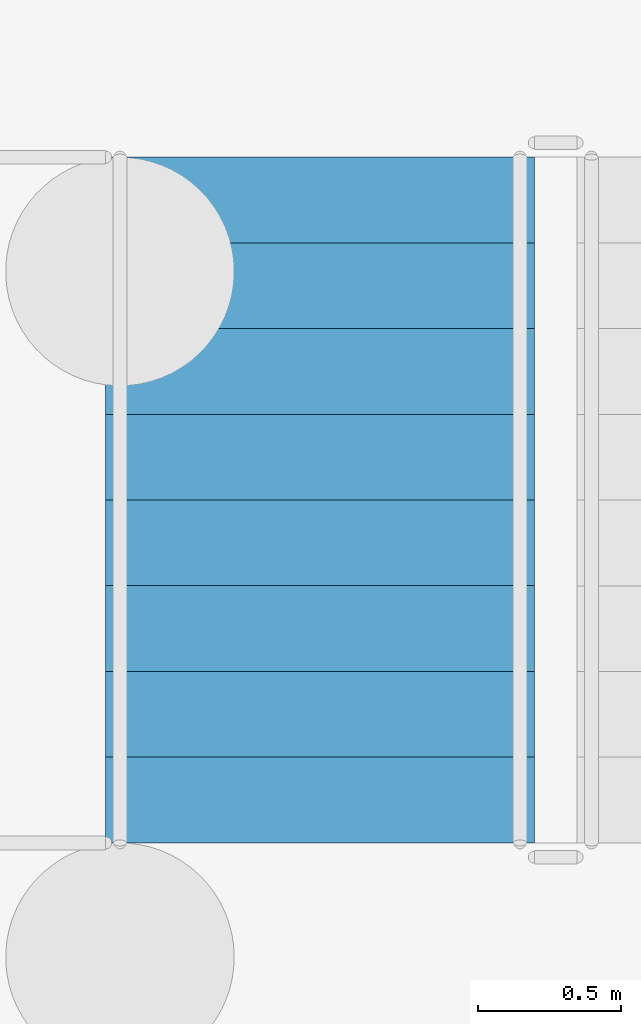
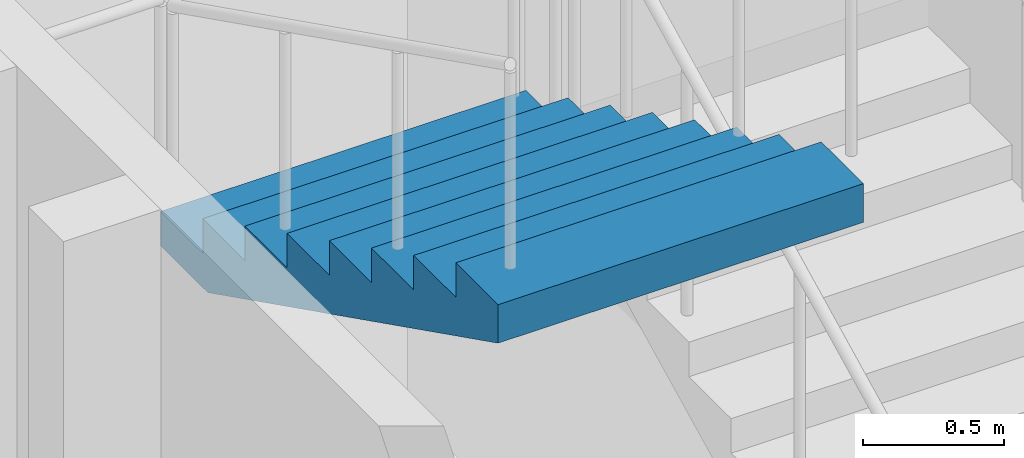
# One storey, part 80 of 129: 1 stair flight, 1 element without a shape of its own.
"""IFC4 building model written with IfcOpenShell, lengths in metres."""

import ifcopenshell
import ifcopenshell.guid

model = None  # the IFC model being written
_history = None  # IfcOwnerHistory: only IFC2X3 demands one
_inside = {}  # id of a spatial element -> (the spatial element, [elements in it])
_under = {}  # id of a project, library or spatial element -> (it, [spatial elements below it])
_declared = {}  # id of a project -> (the project, [libraries it declares])
_typed = {}  # id of a type object -> (the type object, [elements of that type])
_made_of = {}  # id of a material, layer set ... -> (it, [elements and type objects made of it])


def new_model(schema):
    """Start an empty IFC model of exactly this schema.

    Asked for "IFC4X3", IfcOpenShell would pick the latest addendum, in which some entities
    have other attributes; the version numbers below select the first issue.
    IFC2X3 requires an IfcOwnerHistory on every rooted entity: one is made here for all.
    """
    global model, _history
    if schema == "IFC4X3":
        model = ifcopenshell.file(schema_version=(4, 3, 0, 0))
    else:
        model = ifcopenshell.file(schema=schema)
    _inside.clear()
    _under.clear()
    _declared.clear()
    _typed.clear()
    _made_of.clear()
    _history = None
    if model.schema == "IFC2X3":
        org = make("IfcOrganization", Name="unknown")
        user = make(
            "IfcPersonAndOrganization",
            ThePerson=make("IfcPerson", FamilyName="unknown"),
            TheOrganization=org,
        )
        app = make(
            "IfcApplication",
            ApplicationDeveloper=org,
            Version="unknown",
            ApplicationFullName="unknown",
            ApplicationIdentifier="unknown",
        )
        _history = make(
            "IfcOwnerHistory",
            OwningUser=user,
            OwningApplication=app,
            ChangeAction="ADDED",
            CreationDate=0,
        )
    return model


def make(cls, **values):
    """One entity of the class cls with the attributes given. An attribute that is None is left unset."""
    return model.create_entity(
        cls, **{name: value for name, value in values.items() if value is not None}
    )


def rooted(cls, **values):
    """An entity with a GlobalId (a new one), such as an element, a storey or a relation."""
    return make(cls, GlobalId=ifcopenshell.guid.new(), OwnerHistory=_history, **values)


def si_unit(unit_type, name, prefix=None):
    """IfcSIUnit, for example si_unit("LENGTHUNIT", "METRE", prefix="MILLI")."""
    return make("IfcSIUnit", UnitType=unit_type, Prefix=prefix, Name=name)


def assignment(units):
    """IfcUnitAssignment: the units of a project."""
    return None if units is None else make("IfcUnitAssignment", Units=units)


def point(xyz):
    """IfcCartesianPoint."""
    return None if xyz is None else make("IfcCartesianPoint", Coordinates=xyz)


def direction(xyz):
    """IfcDirection."""
    return None if xyz is None else make("IfcDirection", DirectionRatios=xyz)


def frame(location, z_axis=None, x_axis=None):
    """IfcAxis2Placement3D, a coordinate frame: its origin and axes. An axis left out is left unset."""
    return make(
        "IfcAxis2Placement3D",
        Location=point(location),
        Axis=direction(z_axis),
        RefDirection=direction(x_axis),
    )


def origin():
    """The frame at (0, 0, 0) with its axes left unset."""
    return frame((0.0, 0.0, 0.0))


def place(relative_to, where):
    """IfcLocalPlacement: puts the frame where relative to a parent placement (None: the world)."""
    return make(
        "IfcLocalPlacement", PlacementRelTo=relative_to, RelativePlacement=where
    )


def context(
    kind, dimensions, precision=None, world=None, true_north=None, identifier=None
):
    """IfcGeometricRepresentationContext, for example the 3D "Model" context."""
    return make(
        "IfcGeometricRepresentationContext",
        ContextIdentifier=identifier,
        ContextType=kind,
        CoordinateSpaceDimension=dimensions,
        Precision=precision,
        WorldCoordinateSystem=world,
        TrueNorth=true_north,
    )


def subcontext(parent, identifier, kind, view, scale=None):
    """IfcGeometricRepresentationSubContext, for example "Body" below "Model"."""
    return make(
        "IfcGeometricRepresentationSubContext",
        ContextIdentifier=identifier,
        ContextType=kind,
        ParentContext=parent,
        TargetScale=scale,
        TargetView=view,
    )


def project(units=None, contexts=None):
    """IfcProject with its units and contexts."""
    return rooted(
        "IfcProject",
        Name="project",
        RepresentationContexts=contexts,
        UnitsInContext=assignment(units),
    )


def spatial(cls, under=None, at=None, **own):
    """A site, building, storey or space (cls), placed at a placement, below another one or the project."""
    s = rooted(cls, ObjectPlacement=at, **own)
    if under is not None:
        _under.setdefault(under.id(), (under, []))[1].append(s)
    return s


def faces_of(points, faces, orient=None, outer=None):
    """IfcFace entities. A face is a list of loops; a loop is a list of indices into points, from 0.

    orient and outer hold one flag for each loop. By default every Orientation is true, the
    first loop of a face is its IfcFaceOuterBound and the others are IfcFaceBound.
    """
    made = []
    for i, loops in enumerate(faces):
        bounds = []
        for j, loop in enumerate(loops):
            is_outer = j == 0 if outer is None else outer[i][j]
            bounds.append(
                make(
                    "IfcFaceOuterBound" if is_outer else "IfcFaceBound",
                    Bound=make("IfcPolyLoop", Polygon=[points[k] for k in loop]),
                    Orientation=True if orient is None else orient[i][j],
                )
            )
        made.append(make("IfcFace", Bounds=bounds))
    return made


def faceted_brep(points, faces, orient=None, outer=None, voids=None):
    """IfcFacetedBrep: a solid bounded by flat faces; with voids (closed shells), ...WithVoids."""
    shared = [point(p) for p in points]
    hull = make("IfcClosedShell", CfsFaces=faces_of(shared, faces, orient, outer))
    if voids is None:
        return make("IfcFacetedBrep", Outer=hull)
    return make(
        "IfcFacetedBrepWithVoids",
        Outer=hull,
        Voids=[
            make(cls, CfsFaces=faces_of(shared, fs, o, b)) for cls, fs, o, b in voids
        ],
    )


def shape(context_of_items, identifier, shape_type, items):
    """IfcShapeRepresentation: the items that make up one representation, for example the "Body"."""
    return make(
        "IfcShapeRepresentation",
        ContextOfItems=context_of_items,
        RepresentationIdentifier=identifier,
        RepresentationType=shape_type,
        Items=items,
    )


def material(Name=None, Category=None):
    """IfcMaterial."""
    return make("IfcMaterial", Name=Name, Category=Category)


def made_of(thing, what):
    """Note that an element or type object is made of a material, layer set ...; save() writes the relation."""
    if what is not None:
        _made_of.setdefault(what.id(), (what, []))[1].append(thing)
    return thing


def type_object(cls, material=None, **own):
    """A type object (cls), such as IfcWallType, which elements share."""
    return made_of(rooted(cls, **own), material)


def element(
    cls,
    number,
    at=None,
    inside=None,
    cuts=None,
    type_object=None,
    material=None,
    context=None,
    identifier="Body",
    shape_type=None,
    held_by="IfcProductDefinitionShape",
    body=None,
    shapes=None,
    **own,
):
    """One element of the class cls, such as IfcWall. Its Tag is "e" and its number.

    at: its placement. inside: the storey or other place that contains it. cuts: it is an
    opening in that element (IfcRelVoidsElement). A single representation is given by context,
    identifier, shape_type and body (its items); several are given by shapes. held_by: the class
    of the entity that holds the representations. save() writes the other relations.
    """
    e = rooted(cls, Tag="e%d" % number, ObjectPlacement=at, **own)
    if body is not None:
        shapes = [shape(context, identifier, shape_type, body)]
    if shapes is not None:
        e.Representation = make(held_by, Representations=shapes)
    if inside is not None:
        _inside.setdefault(inside.id(), (inside, []))[1].append(e)
    if cuts is not None:
        rooted(
            "IfcRelVoidsElement", RelatingBuildingElement=cuts, RelatedOpeningElement=e
        )
    if type_object is not None:
        _typed.setdefault(type_object.id(), (type_object, []))[1].append(e)
    return made_of(e, material)


def aggregate(whole, parts):
    """IfcRelAggregates: a whole, such as a stair, and the parts it consists of."""
    return rooted("IfcRelAggregates", RelatingObject=whole, RelatedObjects=parts)


def save(model, path):
    """Write the relations noted so far, then the file.

    IfcRelAggregates (storeys below a building ...), IfcRelContainedInSpatialStructure (elements
    in a storey), IfcRelDefinesByType, IfcRelAssociatesMaterial and IfcRelDeclares: one each for
    every whole, place, type object, material and project.
    """
    for whole, parts in _under.values():
        aggregate(whole, parts)
    for where, things in _inside.values():
        rooted(
            "IfcRelContainedInSpatialStructure",
            RelatedElements=things,
            RelatingStructure=where,
        )
    for kind, things in _typed.values():
        rooted("IfcRelDefinesByType", RelatedObjects=things, RelatingType=kind)
    for what, things in _made_of.values():
        rooted("IfcRelAssociatesMaterial", RelatedObjects=things, RelatingMaterial=what)
    for by, libraries in _declared.values():
        rooted("IfcRelDeclares", RelatingContext=by, RelatedDefinitions=libraries)
    model.write(path)


model = new_model("IFC4")

# Units and contexts
model_context = context("Model", 3, precision=1e-05, world=origin(), true_north=direction((0.0, 1.0)))
body_context = subcontext(model_context, "Body", "Model", "MODEL_VIEW")
ifc_project = project(units=[si_unit("LENGTHUNIT", "METRE"), si_unit("AREAUNIT", "SQUARE_METRE"), si_unit("VOLUMEUNIT", "CUBIC_METRE"), si_unit("PLANEANGLEUNIT", "RADIAN"), si_unit("MASSUNIT", "GRAM", prefix="KILO")], contexts=[model_context])

# Site, building, storey
site_placement = place(None, origin())
site = spatial("IfcSite", under=ifc_project, at=site_placement, CompositionType="ELEMENT")
building_placement = place(site_placement, origin())
building = spatial("IfcBuilding", under=site, at=building_placement, Name="Kiln Court Media Centre", CompositionType="ELEMENT")
storey_placement = place(building_placement, origin())
storey = spatial("IfcBuildingStorey", under=building, at=storey_placement, Name="L00", CompositionType="ELEMENT", Elevation=0.0)

# Stair, stair flight
ifc_material_1 = material(Name="Concrete C40/50", Category="concrete")
stair_type = type_object("IfcStairType", Name="Concrete C40/50 dog-leg stair 1500 wide, 150 riser", PredefinedType="HALF_TURN_STAIR", material=ifc_material_1)
stair_placement = place(storey_placement, origin())
stair = element("IfcStair", 1, at=stair_placement, inside=storey, type_object=stair_type, Name="ST-16 L00", PredefinedType="HALF_TURN_STAIR")
ifc_material_2 = material(Name="Concrete C40/50", Category="concrete")
stair_flight_type = type_object("IfcStairFlightType", Name="Concrete C40/50 stair flight 1500 wide, 150 riser, 300 going", PredefinedType="STRAIGHT", material=ifc_material_2)
stair_flight_placement = place(storey_placement, frame((127.60009765625, 21.300048828125, 4.050048828125), z_axis=(0.0, 0.0, 1.0), x_axis=(0.0, -1.0, 0.0)))
stair_flight = element("IfcStairFlight", 2, at=stair_flight_placement, type_object=stair_flight_type, Name="L00-ST-5015 flight 5063", NumberOfRisers=9, NumberOfTreads=8, PredefinedType="STRAIGHT", RiserHeight=0.15, TreadLength=0.3, context=body_context, shape_type="Brep", body=[
    faceted_brep([(0.335205078125, -0.75, 0.0), (2.39990234375, -0.75, 1.032470703125), (2.39990234375, -0.75, 1.199951171875), (2.10009765625, -0.75, 1.199951171875), (2.10009765625, -0.75, 1.050048828125), (1.800048828125, -0.75, 1.050048828125), (1.800048828125, -0.75, 0.89990234375), (1.5, -0.75, 0.89990234375), (1.5, -0.75, 0.75), (1.199951171875, -0.75, 0.75), (1.199951171875, -0.75, 0.60009765625), (0.89990234375, -0.75, 0.60009765625), (0.89990234375, -0.75, 0.449951171875), (0.60009765625, -0.75, 0.449951171875), (0.60009765625, -0.75, 0.300048828125), (0.300048828125, -0.75, 0.300048828125), (0.300048828125, -0.75, 0.14990234375), (0.0, -0.75, 0.14990234375), (0.0, -0.75, 0.0), (0.0, 0.75, 0.0), (0.0, 0.75, 0.14990234375), (0.300048828125, 0.75, 0.14990234375), (0.300048828125, 0.75, 0.300048828125), (0.60009765625, 0.75, 0.300048828125), (0.60009765625, 0.75, 0.449951171875), (0.89990234375, 0.75, 0.449951171875), (0.89990234375, 0.75, 0.60009765625), (1.199951171875, 0.75, 0.60009765625), (1.199951171875, 0.75, 0.75), (1.5, 0.75, 0.75), (1.5, 0.75, 0.89990234375), (1.800048828125, 0.75, 0.89990234375), (1.800048828125, 0.75, 1.050048828125), (2.10009765625, 0.75, 1.050048828125), (2.10009765625, 0.75, 1.199951171875), (2.39990234375, 0.75, 1.199951171875), (2.39990234375, 0.75, 1.032470703125), (0.335205078125, 0.75, 0.0), (2.39990234375, 0.10009765625, 1.032470703125), (0.335205078125, 0.10009765625, 0.0), (2.39990234375, 0.080078125, 1.032470703125), (0.335205078125, 0.080078125, 0.0), (2.39990234375, 0.06005859375, 1.032470703125), (0.335205078125, 0.06005859375, 0.0), (2.39990234375, 0.0400390625, 1.032470703125), (0.335205078125, 0.0400390625, 0.0), (2.39990234375, 0.02001953125, 1.032470703125), (0.335205078125, 0.02001953125, 0.0), (2.39990234375, 0.0, 1.032470703125), (0.335205078125, 0.0, 0.0), (2.39990234375, -0.02001953125, 1.032470703125), (0.335205078125, -0.02001953125, 0.0), (2.39990234375, -0.0400390625, 1.032470703125), (0.335205078125, -0.0400390625, 0.0), (2.39990234375, -0.06005859375, 1.032470703125), (0.335205078125, -0.06005859375, 0.0), (2.39990234375, -0.080078125, 1.032470703125), (0.335205078125, -0.080078125, 0.0), (2.39990234375, -0.10009765625, 1.032470703125), (0.335205078125, -0.10009765625, 0.0), (2.39990234375, 0.10009765625, 1.199951171875), (2.39990234375, 0.080078125, 1.199951171875), (2.39990234375, 0.06005859375, 1.199951171875), (2.39990234375, 0.0400390625, 1.199951171875), (2.39990234375, 0.02001953125, 1.199951171875), (2.39990234375, 0.0, 1.199951171875), (2.39990234375, -0.02001953125, 1.199951171875), (2.39990234375, -0.0400390625, 1.199951171875), (2.39990234375, -0.06005859375, 1.199951171875), (2.39990234375, -0.080078125, 1.199951171875), (2.39990234375, -0.10009765625, 1.199951171875), (2.10009765625, 0.10009765625, 1.199951171875), (2.10009765625, 0.080078125, 1.199951171875), (2.10009765625, 0.06005859375, 1.199951171875), (2.10009765625, 0.0400390625, 1.199951171875), (2.10009765625, 0.02001953125, 1.199951171875), (2.10009765625, 0.0, 1.199951171875), (2.10009765625, -0.02001953125, 1.199951171875), (2.10009765625, -0.0400390625, 1.199951171875), (2.10009765625, -0.06005859375, 1.199951171875), (2.10009765625, -0.080078125, 1.199951171875), (2.10009765625, -0.10009765625, 1.199951171875), (2.10009765625, 0.10009765625, 1.050048828125), (2.10009765625, 0.080078125, 1.050048828125), (2.10009765625, 0.06005859375, 1.050048828125), (2.10009765625, 0.0400390625, 1.050048828125), (2.10009765625, 0.02001953125, 1.050048828125), (2.10009765625, 0.0, 1.050048828125), (2.10009765625, -0.02001953125, 1.050048828125), (2.10009765625, -0.0400390625, 1.050048828125), (2.10009765625, -0.06005859375, 1.050048828125), (2.10009765625, -0.080078125, 1.050048828125), (2.10009765625, -0.10009765625, 1.050048828125), (1.800048828125, 0.10009765625, 1.050048828125), (1.800048828125, 0.080078125, 1.050048828125), (1.800048828125, 0.06005859375, 1.050048828125), (1.800048828125, 0.0400390625, 1.050048828125), (1.800048828125, 0.02001953125, 1.050048828125), (1.800048828125, 0.0, 1.050048828125), (1.800048828125, -0.02001953125, 1.050048828125), (1.800048828125, -0.0400390625, 1.050048828125), (1.800048828125, -0.06005859375, 1.050048828125), (1.800048828125, -0.080078125, 1.050048828125), (1.800048828125, -0.10009765625, 1.050048828125), (1.800048828125, 0.10009765625, 0.89990234375), (1.800048828125, 0.080078125, 0.89990234375), (1.800048828125, 0.06005859375, 0.89990234375), (1.800048828125, 0.0400390625, 0.89990234375), (1.800048828125, 0.02001953125, 0.89990234375), (1.800048828125, 0.0, 0.89990234375), (1.800048828125, -0.02001953125, 0.89990234375), (1.800048828125, -0.0400390625, 0.89990234375), (1.800048828125, -0.06005859375, 0.89990234375), (1.800048828125, -0.080078125, 0.89990234375), (1.800048828125, -0.10009765625, 0.89990234375), (1.5, 0.10009765625, 0.89990234375), (1.5, 0.080078125, 0.89990234375), (1.5, 0.06005859375, 0.89990234375), (1.5, 0.0400390625, 0.89990234375), (1.5, 0.02001953125, 0.89990234375), (1.5, 0.0, 0.89990234375), (1.5, -0.02001953125, 0.89990234375), (1.5, -0.0400390625, 0.89990234375), (1.5, -0.06005859375, 0.89990234375), (1.5, -0.080078125, 0.89990234375), (1.5, -0.10009765625, 0.89990234375), (1.5, 0.10009765625, 0.75), (1.5, 0.080078125, 0.75), (1.5, 0.06005859375, 0.75), (1.5, 0.0400390625, 0.75), (1.5, 0.02001953125, 0.75), (1.5, 0.0, 0.75), (1.5, -0.02001953125, 0.75), (1.5, -0.0400390625, 0.75), (1.5, -0.06005859375, 0.75), (1.5, -0.080078125, 0.75), (1.5, -0.10009765625, 0.75), (1.199951171875, 0.10009765625, 0.75), (1.199951171875, 0.080078125, 0.75), (1.199951171875, 0.06005859375, 0.75), (1.199951171875, 0.0400390625, 0.75), (1.199951171875, 0.02001953125, 0.75), (1.199951171875, 0.0, 0.75), (1.199951171875, -0.02001953125, 0.75), (1.199951171875, -0.0400390625, 0.75), (1.199951171875, -0.06005859375, 0.75), (1.199951171875, -0.080078125, 0.75), (1.199951171875, -0.10009765625, 0.75), (1.199951171875, 0.10009765625, 0.60009765625), (1.199951171875, 0.080078125, 0.60009765625), (1.199951171875, 0.06005859375, 0.60009765625), (1.199951171875, 0.0400390625, 0.60009765625), (1.199951171875, 0.02001953125, 0.60009765625), (1.199951171875, 0.0, 0.60009765625), (1.199951171875, -0.02001953125, 0.60009765625), (1.199951171875, -0.0400390625, 0.60009765625), (1.199951171875, -0.06005859375, 0.60009765625), (1.199951171875, -0.080078125, 0.60009765625), (1.199951171875, -0.10009765625, 0.60009765625), (0.89990234375, 0.10009765625, 0.60009765625), (0.89990234375, 0.080078125, 0.60009765625), (0.89990234375, 0.06005859375, 0.60009765625), (0.89990234375, 0.0400390625, 0.60009765625), (0.89990234375, 0.02001953125, 0.60009765625), (0.89990234375, 0.0, 0.60009765625), (0.89990234375, -0.02001953125, 0.60009765625), (0.89990234375, -0.0400390625, 0.60009765625), (0.89990234375, -0.06005859375, 0.60009765625), (0.89990234375, -0.080078125, 0.60009765625), (0.89990234375, -0.10009765625, 0.60009765625), (0.89990234375, 0.10009765625, 0.449951171875), (0.89990234375, 0.080078125, 0.449951171875), (0.89990234375, 0.06005859375, 0.449951171875), (0.89990234375, 0.0400390625, 0.449951171875), (0.89990234375, 0.02001953125, 0.449951171875), (0.89990234375, 0.0, 0.449951171875), (0.89990234375, -0.02001953125, 0.449951171875), (0.89990234375, -0.0400390625, 0.449951171875), (0.89990234375, -0.06005859375, 0.449951171875), (0.89990234375, -0.080078125, 0.449951171875), (0.89990234375, -0.10009765625, 0.449951171875), (0.60009765625, 0.10009765625, 0.449951171875), (0.60009765625, 0.080078125, 0.449951171875), (0.60009765625, 0.06005859375, 0.449951171875), (0.60009765625, 0.0400390625, 0.449951171875), (0.60009765625, 0.02001953125, 0.449951171875), (0.60009765625, 0.0, 0.449951171875), (0.60009765625, -0.02001953125, 0.449951171875), (0.60009765625, -0.0400390625, 0.449951171875), (0.60009765625, -0.06005859375, 0.449951171875), (0.60009765625, -0.080078125, 0.449951171875), (0.60009765625, -0.10009765625, 0.449951171875), (0.60009765625, 0.10009765625, 0.300048828125), (0.60009765625, 0.080078125, 0.300048828125), (0.60009765625, 0.06005859375, 0.300048828125), (0.60009765625, 0.0400390625, 0.300048828125), (0.60009765625, 0.02001953125, 0.300048828125), (0.60009765625, 0.0, 0.300048828125), (0.60009765625, -0.02001953125, 0.300048828125), (0.60009765625, -0.0400390625, 0.300048828125), (0.60009765625, -0.06005859375, 0.300048828125), (0.60009765625, -0.080078125, 0.300048828125), (0.60009765625, -0.10009765625, 0.300048828125), (0.300048828125, 0.10009765625, 0.300048828125), (0.300048828125, 0.080078125, 0.300048828125), (0.300048828125, 0.06005859375, 0.300048828125), (0.300048828125, 0.0400390625, 0.300048828125), (0.300048828125, 0.02001953125, 0.300048828125), (0.300048828125, 0.0, 0.300048828125), (0.300048828125, -0.02001953125, 0.300048828125), (0.300048828125, -0.0400390625, 0.300048828125), (0.300048828125, -0.06005859375, 0.300048828125), (0.300048828125, -0.080078125, 0.300048828125), (0.300048828125, -0.10009765625, 0.300048828125), (0.300048828125, 0.10009765625, 0.14990234375), (0.300048828125, 0.080078125, 0.14990234375), (0.300048828125, 0.06005859375, 0.14990234375), (0.300048828125, 0.0400390625, 0.14990234375), (0.300048828125, 0.02001953125, 0.14990234375), (0.300048828125, 0.0, 0.14990234375), (0.300048828125, -0.02001953125, 0.14990234375), (0.300048828125, -0.0400390625, 0.14990234375), (0.300048828125, -0.06005859375, 0.14990234375), (0.300048828125, -0.080078125, 0.14990234375), (0.300048828125, -0.10009765625, 0.14990234375), (0.0, 0.10009765625, 0.14990234375), (0.0, 0.080078125, 0.14990234375), (0.0, 0.06005859375, 0.14990234375), (0.0, 0.0400390625, 0.14990234375), (0.0, 0.02001953125, 0.14990234375), (0.0, 0.0, 0.14990234375), (0.0, -0.02001953125, 0.14990234375), (0.0, -0.0400390625, 0.14990234375), (0.0, -0.06005859375, 0.14990234375), (0.0, -0.080078125, 0.14990234375), (0.0, -0.10009765625, 0.14990234375), (0.0, 0.10009765625, 0.0), (0.0, 0.080078125, 0.0), (0.0, 0.06005859375, 0.0), (0.0, 0.0400390625, 0.0), (0.0, 0.02001953125, 0.0), (0.0, 0.0, 0.0), (0.0, -0.02001953125, 0.0), (0.0, -0.0400390625, 0.0), (0.0, -0.06005859375, 0.0), (0.0, -0.080078125, 0.0), (0.0, -0.10009765625, 0.0)], [[[0, 1, 2, 3, 4, 5, 6, 7, 8, 9, 10, 11, 12, 13, 14, 15, 16, 17, 18]], [[19, 20, 21, 22, 23, 24, 25, 26, 27, 28, 29, 30, 31, 32, 33, 34, 35, 36, 37]], [[37, 36, 38, 39]], [[39, 38, 40, 41]], [[41, 40, 42, 43]], [[43, 42, 44, 45]], [[45, 44, 46, 47]], [[47, 46, 48, 49]], [[49, 48, 50, 51]], [[51, 50, 52, 53]], [[53, 52, 54, 55]], [[55, 54, 56, 57]], [[57, 56, 58, 59]], [[59, 58, 1, 0]], [[36, 35, 60, 38]], [[38, 60, 61, 40]], [[40, 61, 62, 42]], [[42, 62, 63, 44]], [[44, 63, 64, 46]], [[46, 64, 65, 48]], [[48, 65, 66, 50]], [[50, 66, 67, 52]], [[52, 67, 68, 54]], [[54, 68, 69, 56]], [[56, 69, 70, 58]], [[58, 70, 2, 1]], [[35, 34, 71, 60]], [[60, 71, 72, 61]], [[61, 72, 73, 62]], [[62, 73, 74, 63]], [[63, 74, 75, 64]], [[64, 75, 76, 65]], [[65, 76, 77, 66]], [[66, 77, 78, 67]], [[67, 78, 79, 68]], [[68, 79, 80, 69]], [[69, 80, 81, 70]], [[70, 81, 3, 2]], [[34, 33, 82, 71]], [[71, 82, 83, 72]], [[72, 83, 84, 73]], [[73, 84, 85, 74]], [[74, 85, 86, 75]], [[75, 86, 87, 76]], [[76, 87, 88, 77]], [[77, 88, 89, 78]], [[78, 89, 90, 79]], [[79, 90, 91, 80]], [[80, 91, 92, 81]], [[81, 92, 4, 3]], [[33, 32, 93, 82]], [[82, 93, 94, 83]], [[83, 94, 95, 84]], [[84, 95, 96, 85]], [[85, 96, 97, 86]], [[86, 97, 98, 87]], [[87, 98, 99, 88]], [[88, 99, 100, 89]], [[89, 100, 101, 90]], [[90, 101, 102, 91]], [[91, 102, 103, 92]], [[92, 103, 5, 4]], [[32, 31, 104, 93]], [[93, 104, 105, 94]], [[94, 105, 106, 95]], [[95, 106, 107, 96]], [[96, 107, 108, 97]], [[97, 108, 109, 98]], [[98, 109, 110, 99]], [[99, 110, 111, 100]], [[100, 111, 112, 101]], [[101, 112, 113, 102]], [[102, 113, 114, 103]], [[103, 114, 6, 5]], [[31, 30, 115, 104]], [[104, 115, 116, 105]], [[105, 116, 117, 106]], [[106, 117, 118, 107]], [[107, 118, 119, 108]], [[108, 119, 120, 109]], [[109, 120, 121, 110]], [[110, 121, 122, 111]], [[111, 122, 123, 112]], [[112, 123, 124, 113]], [[113, 124, 125, 114]], [[114, 125, 7, 6]], [[30, 29, 126, 115]], [[115, 126, 127, 116]], [[116, 127, 128, 117]], [[117, 128, 129, 118]], [[118, 129, 130, 119]], [[119, 130, 131, 120]], [[120, 131, 132, 121]], [[121, 132, 133, 122]], [[122, 133, 134, 123]], [[123, 134, 135, 124]], [[124, 135, 136, 125]], [[125, 136, 8, 7]], [[29, 28, 137, 126]], [[126, 137, 138, 127]], [[127, 138, 139, 128]], [[128, 139, 140, 129]], [[129, 140, 141, 130]], [[130, 141, 142, 131]], [[131, 142, 143, 132]], [[132, 143, 144, 133]], [[133, 144, 145, 134]], [[134, 145, 146, 135]], [[135, 146, 147, 136]], [[136, 147, 9, 8]], [[28, 27, 148, 137]], [[137, 148, 149, 138]], [[138, 149, 150, 139]], [[139, 150, 151, 140]], [[140, 151, 152, 141]], [[141, 152, 153, 142]], [[142, 153, 154, 143]], [[143, 154, 155, 144]], [[144, 155, 156, 145]], [[145, 156, 157, 146]], [[146, 157, 158, 147]], [[147, 158, 10, 9]], [[27, 26, 159, 148]], [[148, 159, 160, 149]], [[149, 160, 161, 150]], [[150, 161, 162, 151]], [[151, 162, 163, 152]], [[152, 163, 164, 153]], [[153, 164, 165, 154]], [[154, 165, 166, 155]], [[155, 166, 167, 156]], [[156, 167, 168, 157]], [[157, 168, 169, 158]], [[158, 169, 11, 10]], [[26, 25, 170, 159]], [[159, 170, 171, 160]], [[160, 171, 172, 161]], [[161, 172, 173, 162]], [[162, 173, 174, 163]], [[163, 174, 175, 164]], [[164, 175, 176, 165]], [[165, 176, 177, 166]], [[166, 177, 178, 167]], [[167, 178, 179, 168]], [[168, 179, 180, 169]], [[169, 180, 12, 11]], [[25, 24, 181, 170]], [[170, 181, 182, 171]], [[171, 182, 183, 172]], [[172, 183, 184, 173]], [[173, 184, 185, 174]], [[174, 185, 186, 175]], [[175, 186, 187, 176]], [[176, 187, 188, 177]], [[177, 188, 189, 178]], [[178, 189, 190, 179]], [[179, 190, 191, 180]], [[180, 191, 13, 12]], [[24, 23, 192, 181]], [[181, 192, 193, 182]], [[182, 193, 194, 183]], [[183, 194, 195, 184]], [[184, 195, 196, 185]], [[185, 196, 197, 186]], [[186, 197, 198, 187]], [[187, 198, 199, 188]], [[188, 199, 200, 189]], [[189, 200, 201, 190]], [[190, 201, 202, 191]], [[191, 202, 14, 13]], [[23, 22, 203, 192]], [[192, 203, 204, 193]], [[193, 204, 205, 194]], [[194, 205, 206, 195]], [[195, 206, 207, 196]], [[196, 207, 208, 197]], [[197, 208, 209, 198]], [[198, 209, 210, 199]], [[199, 210, 211, 200]], [[200, 211, 212, 201]], [[201, 212, 213, 202]], [[202, 213, 15, 14]], [[22, 21, 214, 203]], [[203, 214, 215, 204]], [[204, 215, 216, 205]], [[205, 216, 217, 206]], [[206, 217, 218, 207]], [[207, 218, 219, 208]], [[208, 219, 220, 209]], [[209, 220, 221, 210]], [[210, 221, 222, 211]], [[211, 222, 223, 212]], [[212, 223, 224, 213]], [[213, 224, 16, 15]], [[21, 20, 225, 214]], [[214, 225, 226, 215]], [[215, 226, 227, 216]], [[216, 227, 228, 217]], [[217, 228, 229, 218]], [[218, 229, 230, 219]], [[219, 230, 231, 220]], [[220, 231, 232, 221]], [[221, 232, 233, 222]], [[222, 233, 234, 223]], [[223, 234, 235, 224]], [[224, 235, 17, 16]], [[20, 19, 236, 225]], [[225, 236, 237, 226]], [[226, 237, 238, 227]], [[227, 238, 239, 228]], [[228, 239, 240, 229]], [[229, 240, 241, 230]], [[230, 241, 242, 231]], [[231, 242, 243, 232]], [[232, 243, 244, 233]], [[233, 244, 245, 234]], [[234, 245, 246, 235]], [[235, 246, 18, 17]], [[19, 37, 39, 236]], [[236, 39, 41, 237]], [[237, 41, 43, 238]], [[238, 43, 45, 239]], [[239, 45, 47, 240]], [[240, 47, 49, 241]], [[241, 49, 51, 242]], [[242, 51, 53, 243]], [[243, 53, 55, 244]], [[244, 55, 57, 245]], [[245, 57, 59, 246]], [[246, 59, 0, 18]]]),
])
aggregate(stair, [stair_flight])

save(model, "model.ifc")
